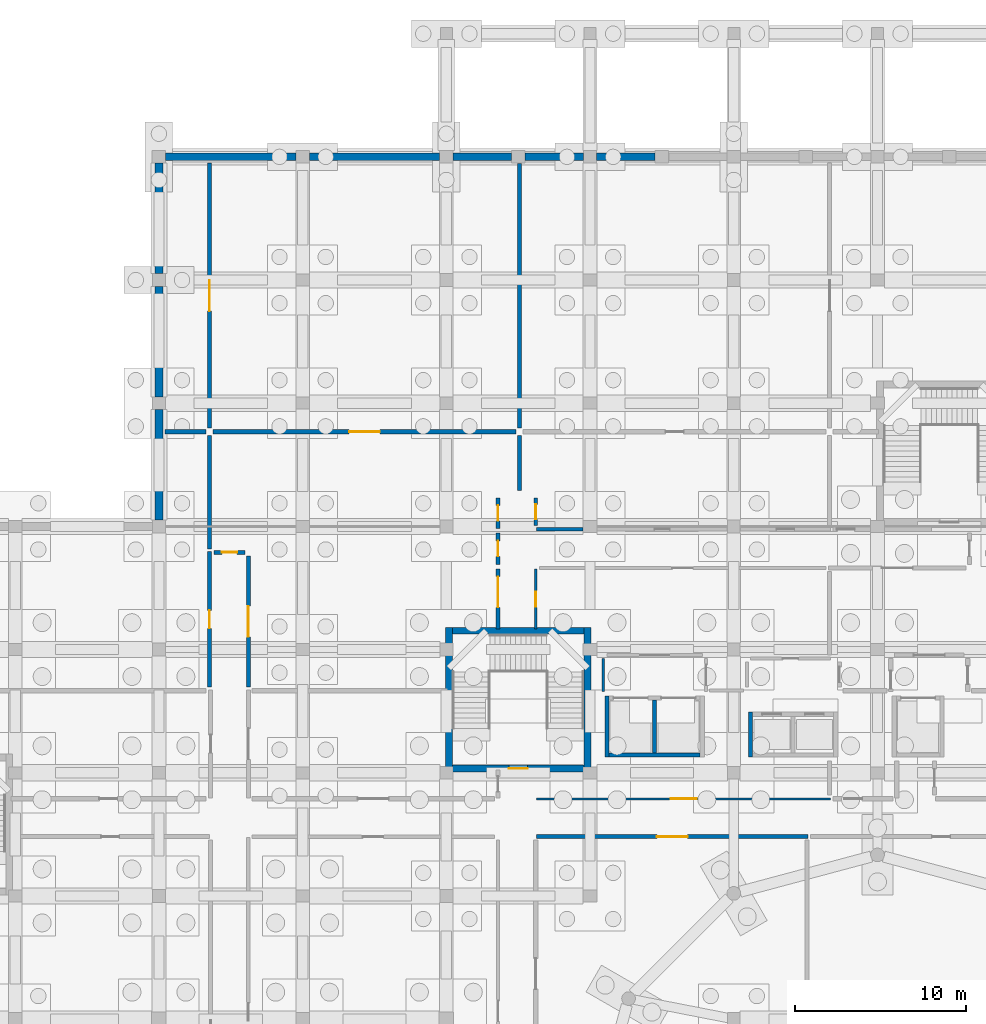
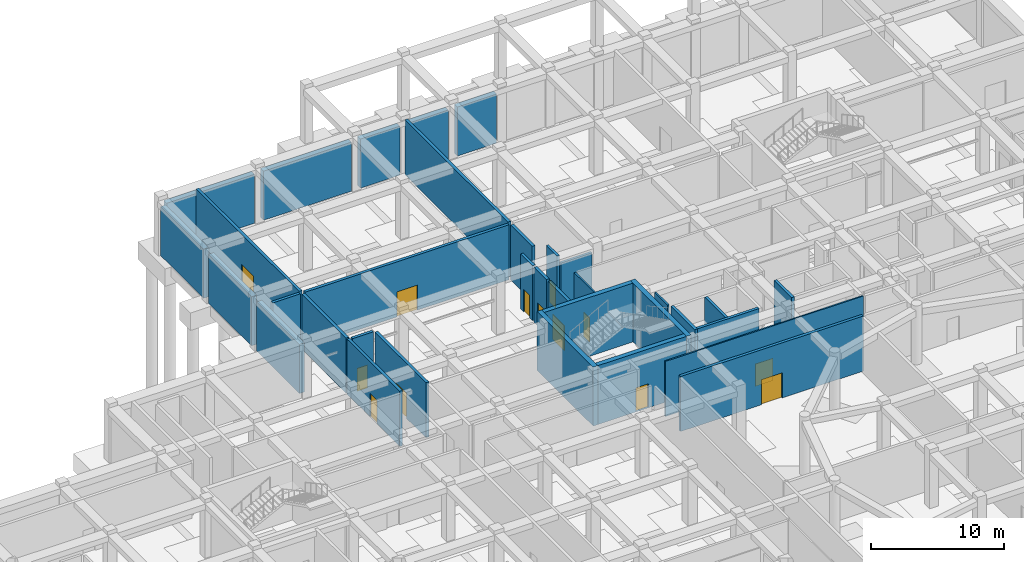
# One storey, part 23 of 32: 34 walls, 13 doors, 13 openings.
"""IFC4 building model written with IfcOpenShell, lengths in metres."""

from ifc_helpers import new_model, si_unit, derived_unit, direction, frame, frame_2d, origin, place, context, subcontext, project, spatial, rectangle, extrude, material, layer, layer_set, type_object, element, fill, save


model = new_model("IFC4")

# Units and contexts
model_context = context("Model", 3, precision=1e-05, world=origin(), true_north=direction((0.0, 1.0)))
body_context = subcontext(model_context, "Body", "Model", "MODEL_VIEW")
ifc_project = project(units=[si_unit("LENGTHUNIT", "METRE"), si_unit("AREAUNIT", "SQUARE_METRE"), si_unit("VOLUMEUNIT", "CUBIC_METRE"), si_unit("PLANEANGLEUNIT", "RADIAN"), si_unit("MASSUNIT", "GRAM", prefix="KILO"), derived_unit("THERMALTRANSMITTANCEUNIT", [(si_unit("POWERUNIT", "WATT"), 1), (si_unit("LENGTHUNIT", "METRE"), -2), (si_unit("THERMODYNAMICTEMPERATUREUNIT", "KELVIN"), -1)])], contexts=[model_context])

# Site, building, storey
site_placement = place(None, origin())
site = spatial("IfcSite", under=ifc_project, at=site_placement, CompositionType="ELEMENT")
building_placement = place(site_placement, origin())
building = spatial("IfcBuilding", under=site, at=building_placement, Name="Veybourne Emporium", CompositionType="ELEMENT")
storey_placement = place(building_placement, frame((0.0, 0.0, -5.39990234375)))
storey = spatial("IfcBuildingStorey", under=building, at=storey_placement, Name="B1", CompositionType="ELEMENT", Elevation=-5.39990234375)

# Walls
ifc_material_1 = material(Name="Concrete C40/50", Category="concrete")
ifc_layer_1 = layer(ifc_material_1, 0.449951171875)
ifc_layer_set_1 = layer_set([ifc_layer_1], Name="Concrete C40/50")
wall_type_1 = type_object("IfcWallType", Name="ExtWall_RW-01", PredefinedType="USERDEFINED", material=ifc_layer_set_1)
wall_1_placement = place(storey_placement, frame((33.60009765625, 86.77490234375, 0.0), z_axis=(0.0, 0.0, 1.0), x_axis=(0.0, 1.0, 0.0)))
element("IfcWall", 1, at=wall_1_placement, inside=storey, type_object=wall_type_1, Name="Basement perimeter retaining wall 021", ObjectType="RETAININGWALL", PredefinedType="USERDEFINED", context=body_context, shape_type="SweptSolid", body=[
    extrude(rectangle(XDim=6.4501953125, YDim=0.449951171875, at=frame_2d((3.22509765625, 0.0))), origin(), (0.0, 0.0, 1.0), 4.5),
])
wall_2_placement = place(storey_placement, frame((33.60009765625, 93.97509765625, 0.0), z_axis=(0.0, 0.0, 1.0), x_axis=(0.0, 1.0, 0.0)))
element("IfcWall", 2, at=wall_2_placement, inside=storey, type_object=wall_type_1, Name="Basement perimeter retaining wall 022", ObjectType="RETAININGWALL", PredefinedType="USERDEFINED", context=body_context, shape_type="SweptSolid", body=[
    extrude(rectangle(XDim=6.449951171875, YDim=0.449951171875, at=frame_2d((3.22509765625, 0.0))), origin(), (0.0, 0.0, 1.0), 4.5),
])
wall_3_placement = place(storey_placement, frame((33.989990234375, 108.0, 0.0), z_axis=(0.0, 0.0, 1.0), x_axis=(1.0, 0.0, 0.0)))
element("IfcWall", 3, at=wall_3_placement, inside=storey, type_object=wall_type_1, Name="Basement perimeter retaining wall 023", ObjectType="RETAININGWALL", PredefinedType="USERDEFINED", context=body_context, shape_type="SweptSolid", body=[
    extrude(rectangle(XDim=7.6201171875, YDim=0.449951171875, at=frame_2d((3.81005859375, 0.0))), origin(), (0.0, 0.0, 1.0), 4.5),
])
wall_4_placement = place(storey_placement, frame((33.60009765625, 101.175048828125, 0.0), z_axis=(0.0, 0.0, 1.0), x_axis=(0.0, 1.0, 0.0)))
element("IfcWall", 4, at=wall_4_placement, inside=storey, type_object=wall_type_1, Name="Basement perimeter retaining wall 024", ObjectType="RETAININGWALL", PredefinedType="USERDEFINED", context=body_context, shape_type="SweptSolid", body=[
    extrude(rectangle(XDim=6.46484375, YDim=0.449951171875, at=frame_2d((3.232421875, 0.0))), origin(), (0.0, 0.0, 1.0), 4.5),
])
wall_5_placement = place(storey_placement, frame((42.389892578125, 108.0, 0.0), z_axis=(0.0, 0.0, 1.0), x_axis=(1.0, 0.0, 0.0)))
element("IfcWall", 5, at=wall_5_placement, inside=storey, type_object=wall_type_1, Name="Basement perimeter retaining wall 030", ObjectType="RETAININGWALL", PredefinedType="USERDEFINED", context=body_context, shape_type="SweptSolid", body=[
    extrude(rectangle(XDim=7.6201171875, YDim=0.449951171875, at=frame_2d((3.81005859375, 0.0))), origin(), (0.0, 0.0, 1.0), 4.5),
])
for number, where, z_axis, x_axis, name in (
    (6, (50.7900390625, 108.0, 0.0), (0.0, 0.0, 1.0), (1.0, 0.0, 0.0), "Basement perimeter retaining wall 032A"),
    (7, (55.0, 108.0, 0.0), (0.0, 0.0, 1.0), (1.0, 0.0, 0.0), "Basement perimeter retaining wall 032B"),
):
    element("IfcWall", number, at=place(storey_placement, frame(where, z_axis=z_axis, x_axis=x_axis)), inside=storey, type_object=wall_type_1, Name=name, ObjectType="RETAININGWALL", PredefinedType="USERDEFINED", context=body_context, shape_type="SweptSolid", body=[
        extrude(rectangle(XDim=3.409912109375, YDim=0.449951171875, at=frame_2d((1.705078125, 0.0))), origin(), (0.0, 0.0, 1.0), 4.5),
    ])
wall_6_placement = place(storey_placement, frame((59.18994140625, 108.0, 0.0), z_axis=(0.0, 0.0, 1.0), x_axis=(1.0, 0.0, 0.0)))
element("IfcWall", 8, at=wall_6_placement, inside=storey, type_object=wall_type_1, Name="Basement perimeter retaining wall 035A", ObjectType="RETAININGWALL", PredefinedType="USERDEFINED", context=body_context, shape_type="SweptSolid", body=[
    extrude(rectangle(XDim=3.41015625, YDim=0.449951171875, at=frame_2d((1.705078125, 0.0))), origin(), (0.0, 0.0, 1.0), 4.5),
])

# Wall, opening, door
ifc_layer_2 = layer(ifc_material_1, 0.39990234375)
ifc_layer_set_2 = layer_set([ifc_layer_2], Name="Concrete C40/50")
wall_type_2 = type_object("IfcWallType", Name="IntWall_CW-01", PredefinedType="SHEAR", material=ifc_layer_set_2)
wall_7_placement = place(storey_placement, frame((58.449951171875, 72.25, 0.0), z_axis=(0.0, 0.0, 1.0), x_axis=(-1.0, 0.0, 0.0)))
wall_7 = element("IfcWall", 9, at=wall_7_placement, inside=storey, type_object=wall_type_2, Name="Core stair ST-03 south shear wall (B1)", PredefinedType="SHEAR", context=body_context, shape_type="SweptSolid", body=[
    extrude(rectangle(XDim=7.699951171875, YDim=0.39990234375, at=frame_2d((3.85009765625, 0.0))), origin(), (0.0, 0.0, 1.0), 5.39990234375),
])
opening_1_placement = place(wall_7_placement, frame((3.300048828125, 0.0, 0.0)))
opening_1 = element("IfcOpeningElement", 10, at=opening_1_placement, cuts=wall_7, Name="Opening FD-01", PredefinedType="OPENING", context=body_context, shape_type="SweptSolid", body=[
    extrude(rectangle(XDim=1.10009765625, YDim=2.199951171875, at=frame_2d((0.550048828125, 1.10009765625))), frame((0.0, 0.219970703125, 0.0), z_axis=(0.0, -1.0, 0.0), x_axis=(1.0, 0.0, 0.0)), (0.0, 0.0, 1.0), 0.43994140625),
])
ifc_material_2 = material(Name="Patinated Architectural Bronze", Category="bronze")
door_type_1 = type_object("IfcDoorType", Name="FireDoor_FD-01", OperationType="NOTDEFINED", PredefinedType="DOOR", material=ifc_material_2)
door_1_placement = place(opening_1_placement, origin())
door_1 = element("IfcDoor", 11, at=door_1_placement, inside=storey, type_object=door_type_1, Name="Stair ST-03 fire door (B1)", OperationType="SINGLE_SWING_RIGHT", OverallHeight=2.199951171875, OverallWidth=1.10009765625, PredefinedType="DOOR", context=body_context, shape_type="SweptSolid", body=[
    extrude(rectangle(XDim=1.10009765625, YDim=2.199951171875, at=frame_2d((0.550048828125, 1.10009765625))), frame((0.0, 0.02490234375, 0.0), z_axis=(0.0, -1.0, 0.0), x_axis=(1.0, 0.0, 0.0)), (0.0, 0.0, 1.0), 0.050048828125),
])
fill(opening_1, door_1)

# Walls
wall_8_placement = place(storey_placement, frame((50.75, 80.300048828125, 0.0), z_axis=(0.0, 0.0, 1.0), x_axis=(1.0, 0.0, 0.0)))
element("IfcWall", 12, at=wall_8_placement, inside=storey, type_object=wall_type_2, Name="Core stair ST-03 north shear wall (B1)", PredefinedType="SHEAR", context=body_context, shape_type="SweptSolid", body=[
    extrude(rectangle(XDim=7.699951171875, YDim=0.39990234375, at=frame_2d((3.85009765625, 0.0))), origin(), (0.0, 0.0, 1.0), 5.39990234375),
])
for number, where, z_axis, x_axis, name in (
    (13, (50.550048828125, 80.5, 0.0), (0.0, 0.0, 1.0), (0.0, -1.0, 0.0), "Core stair ST-03 west shear wall (B1)"),
    (14, (58.64990234375, 72.050048828125, 0.0), (0.0, 0.0, 1.0), (0.0, 1.0, 0.0), "Core stair ST-03 east shear wall (B1)"),
):
    element("IfcWall", number, at=place(storey_placement, frame(where, z_axis=z_axis, x_axis=x_axis)), inside=storey, type_object=wall_type_2, Name=name, PredefinedType="SHEAR", context=body_context, shape_type="SweptSolid", body=[
        extrude(rectangle(XDim=8.449951171875, YDim=0.39990234375, at=frame_2d((4.22509765625, 0.0))), origin(), (0.0, 0.0, 1.0), 5.39990234375),
    ])
ifc_layer_3 = layer(ifc_material_1, 0.239990234375)
ifc_layer_set_3 = layer_set([ifc_layer_3], Name="Concrete C40/50")
wall_type_3 = type_object("IfcWallType", Name="IntWall_CW-04", PredefinedType="SHEAR", material=ifc_layer_set_3)
wall_9_placement = place(storey_placement, frame((68.179931640625, 75.5400390625, 0.0), z_axis=(0.0, 0.0, 1.0), x_axis=(0.0, -1.0, 0.0)))
element("IfcWall", 15, at=wall_9_placement, inside=storey, type_object=wall_type_3, Name="Lift core C4P west shaft wall (B1)", PredefinedType="SHEAR", context=body_context, shape_type="SweptSolid", body=[
    extrude(rectangle(XDim=2.630126953125, YDim=0.239990234375, at=frame_2d((1.31494140625, 0.0))), origin(), (0.0, 0.0, 1.0), 5.0498046875),
])
wall_10_placement = place(storey_placement, frame((59.89990234375, 73.030029296875, 0.0), z_axis=(0.0, 0.0, 1.0), x_axis=(1.0, 0.0, 0.0)))
element("IfcWall", 16, at=wall_10_placement, inside=storey, type_object=wall_type_3, Name="Lift core C4G south shaft wall (B1)", PredefinedType="SHEAR", context=body_context, shape_type="SweptSolid", body=[
    extrude(rectangle(XDim=5.340087890625, YDim=0.239990234375, at=frame_2d((2.669921875, 0.0))), origin(), (0.0, 0.0, 1.0), 5.0498046875),
])
wall_11_placement = place(storey_placement, frame((59.780029296875, 76.489990234375, 0.0), z_axis=(0.0, 0.0, 1.0), x_axis=(0.0, -1.0, 0.0)))
element("IfcWall", 17, at=wall_11_placement, inside=storey, type_object=wall_type_3, Name="Lift core C4G west shaft wall (B1)", PredefinedType="SHEAR", context=body_context, shape_type="SweptSolid", body=[
    extrude(rectangle(XDim=3.580078125, YDim=0.239990234375, at=frame_2d((1.7900390625, 0.0))), origin(), (0.0, 0.0, 1.0), 5.0498046875),
])
wall_12_placement = place(storey_placement, frame((62.570068359375, 73.14990234375, 0.0), z_axis=(0.0, 0.0, 1.0), x_axis=(0.0, 1.0, 0.0)))
element("IfcWall", 18, at=wall_12_placement, inside=storey, type_object=wall_type_3, Name="Lift core C4G divider wall 1 (B1)", PredefinedType="SHEAR", context=body_context, shape_type="SweptSolid", body=[
    extrude(rectangle(XDim=3.10009765625, YDim=0.239990234375, at=frame_2d((1.550048828125, 0.0))), origin(), (0.0, 0.0, 1.0), 5.0498046875),
])

# Wall, opening, door
ifc_material_3 = material(Name="Concrete C32/40", Category="concrete")
ifc_layer_4 = layer(ifc_material_3, 0.25)
ifc_layer_set_4 = layer_set([ifc_layer_4], Name="Concrete C32/40")
wall_type_4 = type_object("IfcWallType", Name="IntWall_FW-01", PredefinedType="SOLIDWALL", material=ifc_layer_set_4)
wall_13_placement = place(storey_placement, frame((55.679931640625, 68.27001953125, 0.0), z_axis=(0.0, 0.0, 1.0), x_axis=(1.0, 0.0, 0.0)))
wall_13 = element("IfcWall", 19, at=wall_13_placement, inside=storey, type_object=wall_type_4, Name="B1 interior partition FW-01 #013", PredefinedType="SOLIDWALL", context=body_context, shape_type="SweptSolid", body=[
    extrude(rectangle(XDim=15.85009765625, YDim=0.25, at=frame_2d((7.925048828125, 0.0))), origin(), (0.0, 0.0, 1.0), 5.0498046875),
])
opening_2_placement = place(wall_13_placement, frame((7.02490234375, 0.0, 0.0)))
opening_2 = element("IfcOpeningElement", 20, at=opening_2_placement, cuts=wall_13, Name="Opening FD-03", PredefinedType="OPENING", context=body_context, shape_type="SweptSolid", body=[
    extrude(rectangle(XDim=1.800048828125, YDim=2.300048828125, at=frame_2d((0.89990234375, 1.14990234375))), frame((0.0, 0.14501953125, 0.0), z_axis=(0.0, -1.0, 0.0), x_axis=(1.0, 0.0, 0.0)), (0.0, 0.0, 1.0), 0.2900390625),
])
door_type_2 = type_object("IfcDoorType", Name="FireDoor_FD-03", OperationType="DOUBLE_DOOR_SINGLE_SWING", PredefinedType="DOOR", material=ifc_material_2)
door_2_placement = place(opening_2_placement, origin())
door_2 = element("IfcDoor", 21, at=door_2_placement, inside=storey, type_object=door_type_2, Name="B1 interior door FD-03 (PART-B1-013)", OperationType="DOUBLE_DOOR_SINGLE_SWING", OverallHeight=2.300048828125, OverallWidth=1.800048828125, PredefinedType="DOOR", context=body_context, shape_type="SweptSolid", body=[
    extrude(rectangle(XDim=1.800048828125, YDim=2.300048828125, at=frame_2d((0.89990234375, 1.14990234375))), frame((0.0, 0.02490234375, 0.0), z_axis=(0.0, -1.0, 0.0), x_axis=(1.0, 0.0, 0.0)), (0.0, 0.0, 1.0), 0.050048828125),
])
fill(opening_2, door_2)

wall_14_placement = place(storey_placement, frame((36.56005859375, 77.010009765625, 0.0), z_axis=(0.0, 0.0, 1.0), x_axis=(0.0, 1.0, 0.0)))
wall_14 = element("IfcWall", 22, at=wall_14_placement, inside=storey, type_object=wall_type_4, Name="B1 interior partition FW-01 #063", PredefinedType="SOLIDWALL", context=body_context, shape_type="SweptSolid", body=[
    extrude(rectangle(XDim=7.919921875, YDim=0.25, at=frame_2d((3.9599609375, 0.0))), origin(), (0.0, 0.0, 1.0), 5.0498046875),
])
opening_3_placement = place(wall_14_placement, frame((3.43505859375, 0.0, 0.0)))
opening_3 = element("IfcOpeningElement", 23, at=opening_3_placement, cuts=wall_14, Name="Opening FD-02", PredefinedType="OPENING", context=body_context, shape_type="SweptSolid", body=[
    extrude(rectangle(XDim=1.050048828125, YDim=2.14990234375, at=frame_2d((0.52490234375, 1.074951171875))), frame((0.0, 0.14501953125, 0.0), z_axis=(0.0, -1.0, 0.0), x_axis=(1.0, 0.0, 0.0)), (0.0, 0.0, 1.0), 0.2900390625),
])
door_type_3 = type_object("IfcDoorType", Name="FireDoor_FD-02", OperationType="NOTDEFINED", PredefinedType="DOOR", material=ifc_material_2)
door_3_placement = place(opening_3_placement, origin())
door_3 = element("IfcDoor", 24, at=door_3_placement, inside=storey, type_object=door_type_3, Name="B1 interior door FD-02 (PART-B1-063)", OperationType="SINGLE_SWING_RIGHT", OverallHeight=2.14990234375, OverallWidth=1.050048828125, PredefinedType="DOOR", context=body_context, shape_type="SweptSolid", body=[
    extrude(rectangle(XDim=1.050048828125, YDim=2.14990234375, at=frame_2d((0.52490234375, 1.074951171875))), frame((0.0, 0.02490234375, 0.0), z_axis=(0.0, -1.0, 0.0), x_axis=(1.0, 0.0, 0.0)), (0.0, 0.0, 1.0), 0.050048828125),
])
fill(opening_3, door_3)

wall_15_placement = place(storey_placement, frame((38.830078125, 77.010009765625, 0.0), z_axis=(0.0, 0.0, 1.0), x_axis=(0.0, 1.0, 0.0)))
wall_15 = element("IfcWall", 25, at=wall_15_placement, inside=storey, type_object=wall_type_4, Name="B1 interior partition FW-01 #067", PredefinedType="SOLIDWALL", context=body_context, shape_type="SweptSolid", body=[
    extrude(rectangle(XDim=7.659912109375, YDim=0.25, at=frame_2d((3.830078125, 0.0))), origin(), (0.0, 0.0, 1.0), 5.0498046875),
])
opening_4_placement = place(wall_15_placement, frame((2.929931640625, 0.0, 0.0)))
opening_4 = element("IfcOpeningElement", 26, at=opening_4_placement, cuts=wall_15, Name="Opening FD-03", PredefinedType="OPENING", context=body_context, shape_type="SweptSolid", body=[
    extrude(rectangle(XDim=1.800048828125, YDim=2.300048828125, at=frame_2d((0.89990234375, 1.14990234375))), frame((0.0, 0.14501953125, 0.0), z_axis=(0.0, -1.0, 0.0), x_axis=(1.0, 0.0, 0.0)), (0.0, 0.0, 1.0), 0.2900390625),
])
door_4_placement = place(opening_4_placement, origin())
door_4 = element("IfcDoor", 27, at=door_4_placement, inside=storey, type_object=door_type_2, Name="B1 interior door FD-03 (PART-B1-067)", OperationType="DOUBLE_DOOR_SINGLE_SWING", OverallHeight=2.300048828125, OverallWidth=1.800048828125, PredefinedType="DOOR", context=body_context, shape_type="SweptSolid", body=[
    extrude(rectangle(XDim=1.800048828125, YDim=2.300048828125, at=frame_2d((0.89990234375, 1.14990234375))), frame((0.0, 0.02490234375, 0.0), z_axis=(0.0, -1.0, 0.0), x_axis=(1.0, 0.0, 0.0)), (0.0, 0.0, 1.0), 0.050048828125),
])
fill(opening_4, door_4)

wall_16_placement = place(storey_placement, frame((53.419921875, 80.389892578125, 0.0), z_axis=(0.0, 0.0, 1.0), x_axis=(0.0, 1.0, 0.0)))
wall_16 = element("IfcWall", 28, at=wall_16_placement, inside=storey, type_object=wall_type_4, Name="B1 interior partition FW-01 #084", PredefinedType="SOLIDWALL", context=body_context, shape_type="SweptSolid", body=[
    extrude(rectangle(XDim=3.530029296875, YDim=0.25, at=frame_2d((1.76513671875, 0.0))), origin(), (0.0, 0.0, 1.0), 5.0498046875),
])
opening_5_placement = place(wall_16_placement, frame((1.2802734375, 0.0, 0.0)))
opening_5 = element("IfcOpeningElement", 29, at=opening_5_placement, cuts=wall_16, Name="Opening FD-03", PredefinedType="OPENING", context=body_context, shape_type="SweptSolid", body=[
    extrude(rectangle(XDim=1.800048828125, YDim=2.300048828125, at=frame_2d((0.89990234375, 1.14990234375))), frame((0.0, 0.14501953125, 0.0), z_axis=(0.0, -1.0, 0.0), x_axis=(1.0, 0.0, 0.0)), (0.0, 0.0, 1.0), 0.2900390625),
])
door_5_placement = place(opening_5_placement, origin())
door_5 = element("IfcDoor", 30, at=door_5_placement, inside=storey, type_object=door_type_2, Name="B1 interior door FD-03 (PART-B1-084)", OperationType="DOUBLE_DOOR_SINGLE_SWING", OverallHeight=2.300048828125, OverallWidth=1.800048828125, PredefinedType="DOOR", context=body_context, shape_type="SweptSolid", body=[
    extrude(rectangle(XDim=1.800048828125, YDim=2.300048828125, at=frame_2d((0.89990234375, 1.14990234375))), frame((0.0, 0.02490234375, 0.0), z_axis=(0.0, -1.0, 0.0), x_axis=(1.0, 0.0, 0.0)), (0.0, 0.0, 1.0), 0.050048828125),
])
fill(opening_5, door_5)

wall_17_placement = place(storey_placement, frame((53.419921875, 84.179931640625, 0.0), z_axis=(0.0, 0.0, 1.0), x_axis=(0.0, 1.0, 0.0)))
wall_17 = element("IfcWall", 31, at=wall_17_placement, inside=storey, type_object=wall_type_4, Name="B1 interior partition FW-01 #117", PredefinedType="SOLIDWALL", context=body_context, shape_type="SweptSolid", body=[
    extrude(rectangle(XDim=1.840087890625, YDim=0.25, at=frame_2d((0.919921875, 0.0))), origin(), (0.0, 0.0, 1.0), 5.0498046875),
])
opening_6_placement = place(wall_17_placement, frame((0.469970703125, 0.0, 0.0)))
opening_6 = element("IfcOpeningElement", 32, at=opening_6_placement, cuts=wall_17, Name="Opening FD-04", PredefinedType="OPENING", context=body_context, shape_type="SweptSolid", body=[
    extrude(rectangle(XDim=0.89990234375, YDim=2.10009765625, at=frame_2d((0.449951171875, 1.050048828125))), frame((0.0, 0.14501953125, 0.0), z_axis=(0.0, -1.0, 0.0), x_axis=(1.0, 0.0, 0.0)), (0.0, 0.0, 1.0), 0.2900390625),
])
door_type_4 = type_object("IfcDoorType", Name="FireDoor_FD-04", OperationType="NOTDEFINED", PredefinedType="DOOR", material=ifc_material_2)
door_6_placement = place(opening_6_placement, origin())
door_6 = element("IfcDoor", 33, at=door_6_placement, inside=storey, type_object=door_type_4, Name="B1 interior door FD-04 (PART-B1-117)", OperationType="SINGLE_SWING_LEFT", OverallHeight=2.10009765625, OverallWidth=0.89990234375, PredefinedType="DOOR", context=body_context, shape_type="SweptSolid", body=[
    extrude(rectangle(XDim=0.89990234375, YDim=2.10009765625, at=frame_2d((0.449951171875, 1.050048828125))), frame((0.0, 0.02490234375, 0.0), z_axis=(0.0, -1.0, 0.0), x_axis=(1.0, 0.0, 0.0)), (0.0, 0.0, 1.0), 0.050048828125),
])
fill(opening_6, door_6)

wall_18_placement = place(storey_placement, frame((36.830078125, 84.8798828125, 0.0), z_axis=(0.0, 0.0, 1.0), x_axis=(1.0, 0.0, 0.0)))
wall_18 = element("IfcWall", 34, at=wall_18_placement, inside=storey, type_object=wall_type_4, Name="B1 interior partition FW-01 #126", PredefinedType="SOLIDWALL", context=body_context, shape_type="SweptSolid", body=[
    extrude(rectangle(XDim=1.7900390625, YDim=0.25, at=frame_2d((0.89501953125, 0.0))), origin(), (0.0, 0.0, 1.0), 5.0498046875),
])
opening_7_placement = place(wall_18_placement, frame((0.445068359375, 0.0, 0.0)))
opening_7 = element("IfcOpeningElement", 35, at=opening_7_placement, cuts=wall_18, Name="Opening FD-04", PredefinedType="OPENING", context=body_context, shape_type="SweptSolid", body=[
    extrude(rectangle(XDim=0.89990234375, YDim=2.10009765625, at=frame_2d((0.449951171875, 1.050048828125))), frame((0.0, 0.14501953125, 0.0), z_axis=(0.0, -1.0, 0.0), x_axis=(1.0, 0.0, 0.0)), (0.0, 0.0, 1.0), 0.2900390625),
])
door_7_placement = place(opening_7_placement, origin())
door_7 = element("IfcDoor", 36, at=door_7_placement, inside=storey, type_object=door_type_4, Name="B1 interior door FD-04 (PART-B1-126)", OperationType="SINGLE_SWING_RIGHT", OverallHeight=2.10009765625, OverallWidth=0.89990234375, PredefinedType="DOOR", context=body_context, shape_type="SweptSolid", body=[
    extrude(rectangle(XDim=0.89990234375, YDim=2.10009765625, at=frame_2d((0.449951171875, 1.050048828125))), frame((0.0, 0.02490234375, 0.0), z_axis=(0.0, -1.0, 0.0), x_axis=(1.0, 0.0, 0.0)), (0.0, 0.0, 1.0), 0.050048828125),
])
fill(opening_7, door_7)

wall_19_placement = place(storey_placement, frame((53.419921875, 86.280029296875, 0.0), z_axis=(0.0, 0.0, 1.0), x_axis=(0.0, 1.0, 0.0)))
wall_19 = element("IfcWall", 37, at=wall_19_placement, inside=storey, type_object=wall_type_4, Name="B1 interior partition FW-01 #127", PredefinedType="SOLIDWALL", context=body_context, shape_type="SweptSolid", body=[
    extrude(rectangle(XDim=1.7900390625, YDim=0.25, at=frame_2d((0.89501953125, 0.0))), origin(), (0.0, 0.0, 1.0), 5.0498046875),
])
opening_8_placement = place(wall_19_placement, frame((0.445068359375, 0.0, 0.0)))
opening_8 = element("IfcOpeningElement", 38, at=opening_8_placement, cuts=wall_19, Name="Opening FD-04", PredefinedType="OPENING", context=body_context, shape_type="SweptSolid", body=[
    extrude(rectangle(XDim=0.89990234375, YDim=2.10009765625, at=frame_2d((0.449951171875, 1.050048828125))), frame((0.0, 0.14501953125, 0.0), z_axis=(0.0, -1.0, 0.0), x_axis=(1.0, 0.0, 0.0)), (0.0, 0.0, 1.0), 0.2900390625),
])
door_8_placement = place(opening_8_placement, origin())
door_8 = element("IfcDoor", 39, at=door_8_placement, inside=storey, type_object=door_type_4, Name="B1 interior door FD-04 (PART-B1-127)", OperationType="SINGLE_SWING_LEFT", OverallHeight=2.10009765625, OverallWidth=0.89990234375, PredefinedType="DOOR", context=body_context, shape_type="SweptSolid", body=[
    extrude(rectangle(XDim=0.89990234375, YDim=2.10009765625, at=frame_2d((0.449951171875, 1.050048828125))), frame((0.0, 0.02490234375, 0.0), z_axis=(0.0, -1.0, 0.0), x_axis=(1.0, 0.0, 0.0)), (0.0, 0.0, 1.0), 0.050048828125),
])
fill(opening_8, door_8)

wall_20_placement = place(storey_placement, frame((36.77001953125, 91.929931640625, 0.0), z_axis=(0.0, 0.0, 1.0), x_axis=(1.0, 0.0, 0.0)))
wall_20 = element("IfcWall", 40, at=wall_20_placement, inside=storey, type_object=wall_type_4, Name="B1 interior partition FW-01 #136", PredefinedType="SOLIDWALL", context=body_context, shape_type="SweptSolid", body=[
    extrude(rectangle(XDim=17.699951171875, YDim=0.25, at=frame_2d((8.85009765625, 0.0))), origin(), (0.0, 0.0, 1.0), 5.0498046875),
])
opening_9_placement = place(wall_20_placement, frame((7.949951171875, 0.0, 0.0)))
opening_9 = element("IfcOpeningElement", 41, at=opening_9_placement, cuts=wall_20, Name="Opening FD-03", PredefinedType="OPENING", context=body_context, shape_type="SweptSolid", body=[
    extrude(rectangle(XDim=1.800048828125, YDim=2.300048828125, at=frame_2d((0.89990234375, 1.14990234375))), frame((0.0, 0.14501953125, 0.0), z_axis=(0.0, -1.0, 0.0), x_axis=(1.0, 0.0, 0.0)), (0.0, 0.0, 1.0), 0.2900390625),
])
door_9_placement = place(opening_9_placement, origin())
door_9 = element("IfcDoor", 42, at=door_9_placement, inside=storey, type_object=door_type_2, Name="B1 interior door FD-03 (PART-B1-136)", OperationType="DOUBLE_DOOR_SINGLE_SWING", OverallHeight=2.300048828125, OverallWidth=1.800048828125, PredefinedType="DOOR", context=body_context, shape_type="SweptSolid", body=[
    extrude(rectangle(XDim=1.800048828125, YDim=2.300048828125, at=frame_2d((0.89990234375, 1.14990234375))), frame((0.0, 0.02490234375, 0.0), z_axis=(0.0, -1.0, 0.0), x_axis=(1.0, 0.0, 0.0)), (0.0, 0.0, 1.0), 0.050048828125),
])
fill(opening_9, door_9)

wall_21_placement = place(storey_placement, frame((36.56005859375, 92.139892578125, 0.0), z_axis=(0.0, 0.0, 1.0), x_axis=(0.0, 1.0, 0.0)))
wall_21 = element("IfcWall", 43, at=wall_21_placement, inside=storey, type_object=wall_type_4, Name="B1 interior partition FW-01 #144", PredefinedType="SOLIDWALL", context=body_context, shape_type="SweptSolid", body=[
    extrude(rectangle(XDim=15.489990234375, YDim=0.25, at=frame_2d((7.7451171875, 0.0))), origin(), (0.0, 0.0, 1.0), 5.0498046875),
])
opening_10_placement = place(wall_21_placement, frame((6.844970703125, 0.0, 0.0)))
opening_10 = element("IfcOpeningElement", 44, at=opening_10_placement, cuts=wall_21, Name="Opening FD-03", PredefinedType="OPENING", context=body_context, shape_type="SweptSolid", body=[
    extrude(rectangle(XDim=1.800048828125, YDim=2.300048828125, at=frame_2d((0.89990234375, 1.14990234375))), frame((0.0, 0.14501953125, 0.0), z_axis=(0.0, -1.0, 0.0), x_axis=(1.0, 0.0, 0.0)), (0.0, 0.0, 1.0), 0.2900390625),
])
door_10_placement = place(opening_10_placement, origin())
door_10 = element("IfcDoor", 45, at=door_10_placement, inside=storey, type_object=door_type_2, Name="B1 interior door FD-03 (PART-B1-144)", OperationType="DOUBLE_DOOR_SINGLE_SWING", OverallHeight=2.300048828125, OverallWidth=1.800048828125, PredefinedType="DOOR", context=body_context, shape_type="SweptSolid", body=[
    extrude(rectangle(XDim=1.800048828125, YDim=2.300048828125, at=frame_2d((0.89990234375, 1.14990234375))), frame((0.0, 0.02490234375, 0.0), z_axis=(0.0, -1.0, 0.0), x_axis=(1.0, 0.0, 0.0)), (0.0, 0.0, 1.0), 0.050048828125),
])
fill(opening_10, door_10)

# Walls
wall_22_placement = place(storey_placement, frame((54.679931640625, 92.139892578125, 0.0), z_axis=(0.0, 0.0, 1.0), x_axis=(0.0, 1.0, 0.0)))
element("IfcWall", 46, at=wall_22_placement, inside=storey, type_object=wall_type_4, Name="B1 interior partition FW-01 #145", PredefinedType="SOLIDWALL", context=body_context, shape_type="SweptSolid", body=[
    extrude(rectangle(XDim=15.480224609375, YDim=0.25, at=frame_2d((7.740234375, 0.0))), origin(), (0.0, 0.0, 1.0), 5.0498046875),
])
wall_23_placement = place(storey_placement, frame((36.56005859375, 85.077880859375, 0.0), z_axis=(0.0, 0.0, 1.0), x_axis=(0.0, 1.0, 0.0)))
element("IfcWall", 47, at=wall_23_placement, inside=storey, type_object=wall_type_4, Name="B1 interior partition FW-01 #162", PredefinedType="SOLIDWALL", context=body_context, shape_type="SweptSolid", body=[
    extrude(rectangle(XDim=6.64208984375, YDim=0.25, at=frame_2d((3.321044921875, 0.0))), origin(), (0.0, 0.0, 1.0), 5.0498046875),
])
wall_24_placement = place(storey_placement, frame((54.679931640625, 88.489990234375, 0.0), z_axis=(0.0, 0.0, 1.0), x_axis=(0.0, 1.0, 0.0)))
element("IfcWall", 48, at=wall_24_placement, inside=storey, type_object=wall_type_4, Name="B1 interior partition FW-01 #174", PredefinedType="SOLIDWALL", context=body_context, shape_type="SweptSolid", body=[
    extrude(rectangle(XDim=3.22998046875, YDim=0.25, at=frame_2d((1.614990234375, 0.0))), origin(), (0.0, 0.0, 1.0), 5.0498046875),
])
wall_25_placement = place(storey_placement, frame((33.969970703125, 91.929931640625, 0.0), z_axis=(0.0, 0.0, 1.0), x_axis=(1.0, 0.0, 0.0)))
element("IfcWall", 49, at=wall_25_placement, inside=storey, type_object=wall_type_4, Name="B1 interior partition FW-01 #188", PredefinedType="SOLIDWALL", context=body_context, shape_type="SweptSolid", body=[
    extrude(rectangle(XDim=2.380126953125, YDim=0.25, at=frame_2d((1.18994140625, 0.0))), origin(), (0.0, 0.0, 1.0), 5.0498046875),
])

# Wall, opening, door
ifc_material_4 = material(Name="Gypsum Acoustic Board", Category="gypsum")
ifc_layer_5 = layer(ifc_material_4, 0.14990234375)
ifc_layer_set_5 = layer_set([ifc_layer_5], Name="Gypsum Acoustic Board")
wall_type_5 = type_object("IfcWallType", Name="IntWall_IW-02", PredefinedType="PARTITIONING", material=ifc_layer_set_5)
wall_26_placement = place(storey_placement, frame((55.6298828125, 80.389892578125, 0.0), z_axis=(0.0, 0.0, 1.0), x_axis=(0.0, 1.0, 0.0)))
wall_26 = element("IfcWall", 50, at=wall_26_placement, inside=storey, type_object=wall_type_5, Name="B1 interior partition IW-02 #085", PredefinedType="PARTITIONING", context=body_context, shape_type="SweptSolid", body=[
    extrude(rectangle(XDim=3.530029296875, YDim=0.14990234375, at=frame_2d((1.76513671875, 0.0))), origin(), (0.0, 0.0, 1.0), 5.0498046875),
])
opening_11_placement = place(wall_26_placement, frame((1.324951171875, 0.0, 0.0)))
opening_11 = element("IfcOpeningElement", 51, at=opening_11_placement, cuts=wall_26, Name="Opening D-13", PredefinedType="OPENING", context=body_context, shape_type="SweptSolid", body=[
    extrude(rectangle(XDim=0.8798828125, YDim=2.2099609375, at=frame_2d((0.43994140625, 1.10498046875))), frame((0.0, 0.094970703125, 0.0), z_axis=(0.0, -1.0, 0.0), x_axis=(1.0, 0.0, 0.0)), (0.0, 0.0, 1.0), 0.18994140625),
])
ifc_material_5 = material(Name="European Oak Veneer and Bronze", Category="wood")
door_type_5 = type_object("IfcDoorType", Name="IntDoor_D-13", OperationType="NOTDEFINED", PredefinedType="DOOR", material=ifc_material_5)
door_11_placement = place(opening_11_placement, origin())
door_11 = element("IfcDoor", 52, at=door_11_placement, inside=storey, type_object=door_type_5, Name="B1 interior door D-13 (PART-B1-085)", OperationType="SINGLE_SWING_RIGHT", OverallHeight=2.2099609375, OverallWidth=0.8798828125, PredefinedType="DOOR", context=body_context, shape_type="SweptSolid", body=[
    extrude(rectangle(XDim=0.8798828125, YDim=2.2099609375, at=frame_2d((0.43994140625, 1.10498046875))), frame((0.0, 0.02490234375, 0.0), z_axis=(0.0, -1.0, 0.0), x_axis=(1.0, 0.0, 0.0)), (0.0, 0.0, 1.0), 0.050048828125),
])
fill(opening_11, door_11)

# Wall
wall_27_placement = place(storey_placement, frame((59.570068359375, 76.75, 0.0), z_axis=(0.0, 0.0, 1.0), x_axis=(0.0, 1.0, 0.0)))
element("IfcWall", 53, at=wall_27_placement, inside=storey, type_object=wall_type_5, Name="B1 interior partition IW-02 #112", PredefinedType="PARTITIONING", context=body_context, shape_type="SweptSolid", body=[
    extrude(rectangle(XDim=1.919921875, YDim=0.14990234375, at=frame_2d((0.9599609375, 0.0))), origin(), (0.0, 0.0, 1.0), 5.0498046875),
])

# Wall, opening, door
ifc_layer_6 = layer(ifc_material_4, 0.1201171875)
ifc_layer_set_6 = layer_set([ifc_layer_6], Name="Gypsum Acoustic Board")
wall_type_6 = type_object("IfcWallType", Name="IntWall_IW-03", PredefinedType="PARTITIONING", material=ifc_layer_set_6)
wall_28_placement = place(storey_placement, frame((55.679931640625, 70.47998046875, 0.0), z_axis=(0.0, 0.0, 1.0), x_axis=(1.0, 0.0, 0.0)))
wall_28 = element("IfcWall", 54, at=wall_28_placement, inside=storey, type_object=wall_type_6, Name="B1 interior partition IW-03 #005", PredefinedType="PARTITIONING", context=body_context, shape_type="SweptSolid", body=[
    extrude(rectangle(XDim=17.170166015625, YDim=0.1201171875, at=frame_2d((8.5849609375, 0.0))), origin(), (0.0, 0.0, 1.0), 5.0498046875),
])
opening_12_placement = place(wall_28_placement, frame((7.824951171875, 0.0, 0.0)))
opening_12 = element("IfcOpeningElement", 55, at=opening_12_placement, cuts=wall_28, Name="Opening D-05", PredefinedType="OPENING", context=body_context, shape_type="SweptSolid", body=[
    extrude(rectangle(XDim=1.52001953125, YDim=2.050048828125, at=frame_2d((0.760009765625, 1.02490234375))), frame((0.0, 0.080078125, 0.0), z_axis=(0.0, -1.0, 0.0), x_axis=(1.0, 0.0, 0.0)), (0.0, 0.0, 1.0), 0.16015625),
])
door_type_6 = type_object("IfcDoorType", Name="IntDoor_D-05", OperationType="NOTDEFINED", PredefinedType="DOOR", material=ifc_material_5)
door_12_placement = place(opening_12_placement, origin())
door_12 = element("IfcDoor", 56, at=door_12_placement, inside=storey, type_object=door_type_6, Name="B1 interior door D-05 (PART-B1-005)", OperationType="SINGLE_SWING_LEFT", OverallHeight=2.050048828125, OverallWidth=1.52001953125, PredefinedType="DOOR", context=body_context, shape_type="SweptSolid", body=[
    extrude(rectangle(XDim=1.52001953125, YDim=2.050048828125, at=frame_2d((0.760009765625, 1.02490234375))), frame((0.0, 0.02490234375, 0.0), z_axis=(0.0, -1.0, 0.0), x_axis=(1.0, 0.0, 0.0)), (0.0, 0.0, 1.0), 0.050048828125),
])
fill(opening_12, door_12)

# Wall
ifc_layer_7 = layer(ifc_material_4, 0.199951171875)
ifc_layer_set_7 = layer_set([ifc_layer_7], Name="Gypsum Acoustic Board")
wall_type_7 = type_object("IfcWallType", Name="IntWall_IW-04", PredefinedType="PLUMBINGWALL", material=ifc_layer_set_7)
wall_29_placement = place(storey_placement, frame((55.679931640625, 86.22998046875, 0.0), z_axis=(0.0, 0.0, 1.0), x_axis=(1.0, 0.0, 0.0)))
element("IfcWall", 57, at=wall_29_placement, inside=storey, type_object=wall_type_7, Name="B1 interior partition IW-04 #006", PredefinedType="PLUMBINGWALL", context=body_context, shape_type="SweptSolid", body=[
    extrude(rectangle(XDim=2.699951171875, YDim=0.199951171875, at=frame_2d((1.35009765625, 0.0))), origin(), (0.0, 0.0, 1.0), 4.5498046875),
])

# Wall, opening, door
wall_30_placement = place(storey_placement, frame((55.6298828125, 86.43994140625, 0.0), z_axis=(0.0, 0.0, 1.0), x_axis=(0.0, 1.0, 0.0)))
wall_30 = element("IfcWall", 58, at=wall_30_placement, inside=storey, type_object=wall_type_7, Name="B1 interior partition IW-04 #130", PredefinedType="PLUMBINGWALL", context=body_context, shape_type="SweptSolid", body=[
    extrude(rectangle(XDim=1.630126953125, YDim=0.199951171875, at=frame_2d((0.81494140625, 0.0))), origin(), (0.0, 0.0, 1.0), 5.0498046875),
])
opening_13_placement = place(wall_30_placement, frame((0.375, 0.0, 0.0)))
opening_13 = element("IfcOpeningElement", 59, at=opening_13_placement, cuts=wall_30, Name="Opening D-01", PredefinedType="OPENING", context=body_context, shape_type="SweptSolid", body=[
    extrude(rectangle(XDim=0.8798828125, YDim=2.050048828125, at=frame_2d((0.43994140625, 1.02490234375))), frame((0.0, 0.1201171875, 0.0), z_axis=(0.0, -1.0, 0.0), x_axis=(1.0, 0.0, 0.0)), (0.0, 0.0, 1.0), 0.239990234375),
])
door_type_7 = type_object("IfcDoorType", Name="IntDoor_D-01", OperationType="NOTDEFINED", PredefinedType="DOOR", material=ifc_material_5)
door_13_placement = place(opening_13_placement, origin())
door_13 = element("IfcDoor", 60, at=door_13_placement, inside=storey, type_object=door_type_7, Name="B1 interior door D-01 (PART-B1-130)", OperationType="SINGLE_SWING_RIGHT", OverallHeight=2.050048828125, OverallWidth=0.8798828125, PredefinedType="DOOR", context=body_context, shape_type="SweptSolid", body=[
    extrude(rectangle(XDim=0.8798828125, YDim=2.050048828125, at=frame_2d((0.43994140625, 1.02490234375))), frame((0.0, 0.02490234375, 0.0), z_axis=(0.0, -1.0, 0.0), x_axis=(1.0, 0.0, 0.0)), (0.0, 0.0, 1.0), 0.050048828125),
])
fill(opening_13, door_13)

save(model, "model.ifc")
